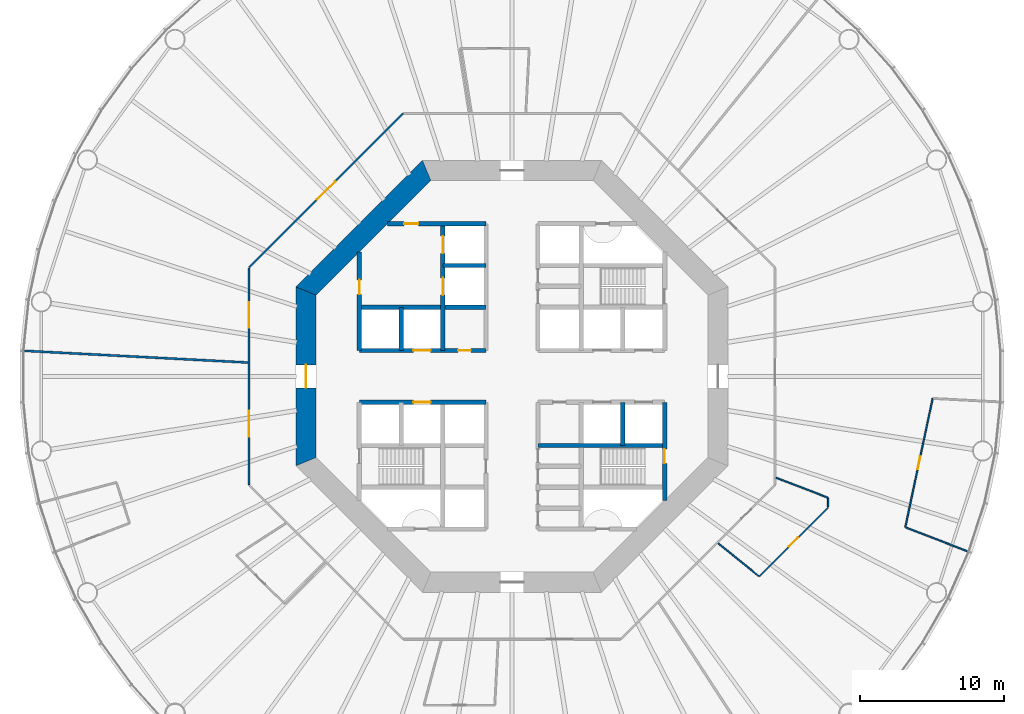
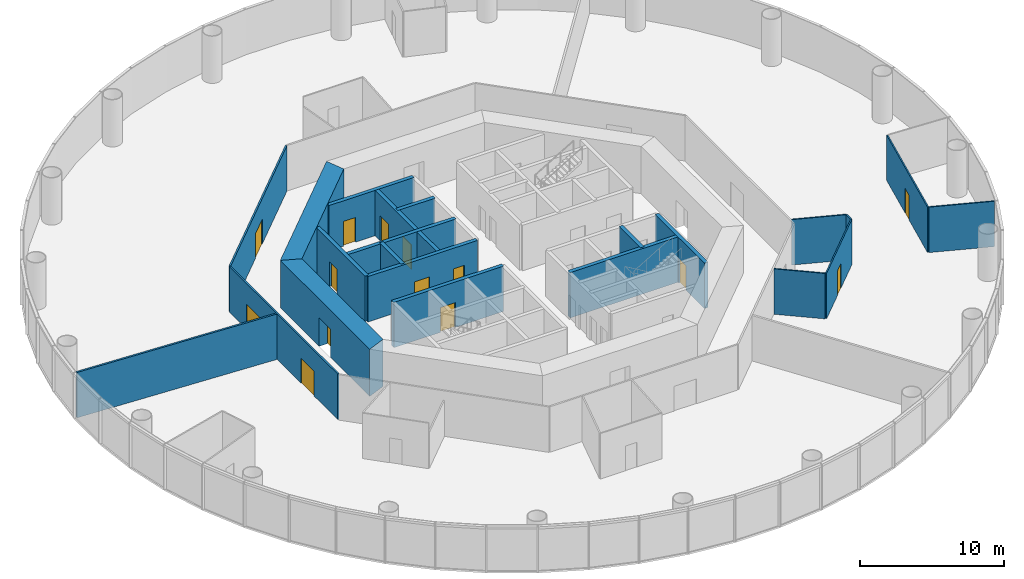
# One storey, part 4 of 13: 22 walls, 14 doors, 14 openings.
"""IFC4 building model written with IfcOpenShell, lengths in metres."""

from ifc_helpers import new_model, si_unit, direction, frame, frame_2d, origin, place, context, subcontext, project, spatial, polyline, rectangle, outline, extrude, material, layer, layer_set, type_object, element, fill, save


model = new_model("IFC4")

# Units and contexts
model_context = context("Model", 3, precision=1e-05, world=origin(), true_north=direction((0.0, 1.0)))
body_context = subcontext(model_context, "Body", "Model", "MODEL_VIEW")
ifc_project = project(units=[si_unit("LENGTHUNIT", "METRE"), si_unit("AREAUNIT", "SQUARE_METRE"), si_unit("VOLUMEUNIT", "CUBIC_METRE"), si_unit("PLANEANGLEUNIT", "RADIAN"), si_unit("MASSUNIT", "GRAM", prefix="KILO")], contexts=[model_context])

# Site, building, storey
site_placement = place(None, origin())
site = spatial("IfcSite", under=ifc_project, at=site_placement, CompositionType="ELEMENT")
building_placement = place(site_placement, origin())
building = spatial("IfcBuilding", under=site, at=building_placement, Name="Entoto Ring Tower", CompositionType="ELEMENT")
storey_placement = place(building_placement, frame((0.0, 0.0, 42.0)))
storey = spatial("IfcBuildingStorey", under=building, at=storey_placement, Name="L08", CompositionType="ELEMENT", Elevation=42.0)

# Wall, opening, door
ifc_material_1 = material(Name="Concrete C40/50", Category="concrete")
ifc_layer_1 = layer(ifc_material_1, 0.300048828125)
ifc_layer_set_1 = layer_set([ifc_layer_1], Name="Concrete C40/50")
wall_type_1 = type_object("IfcWallType", Name="Core enclosure wall 300 mm reinforced concrete", PredefinedType="SOLIDWALL", material=ifc_layer_set_1)
wall_1_placement = place(storey_placement, frame((100.60009765625, 71.36669921875, 0.0), z_axis=(0.0, 0.0, 1.0), x_axis=(0.0, 1.0, 0.0)))
wall_1 = element("IfcWall", 1, at=wall_1_placement, inside=storey, type_object=wall_type_1, Name="wall-L08-001", PredefinedType="SOLIDWALL", context=body_context, shape_type="SweptSolid", body=[
    extrude(rectangle(XDim=6.833251953125, YDim=0.300048828125, at=frame_2d((3.41650390625, 0.0))), origin(), (0.0, 0.0, 1.0), 3.85009765625),
])
opening_1_placement = place(wall_1_placement, frame((2.583251953125, 0.0, 0.0)))
opening_1 = element("IfcOpeningElement", 2, at=opening_1_placement, cuts=wall_1, Name="Opening K-22", PredefinedType="OPENING", context=body_context, shape_type="SweptSolid", body=[
    extrude(rectangle(XDim=1.0, YDim=2.10009765625, at=frame_2d((0.5, 1.050048828125))), frame((0.0, 0.16015625, 0.0), z_axis=(0.0, -1.0, 0.0), x_axis=(1.0, 0.0, 0.0)), (0.0, 0.0, 1.0), 0.320068359375),
])
ifc_material_2 = material(Name="Steel door leaf, fire rated", Category="steel")
ifc_layer_2 = layer(ifc_material_2, 0.050048828125)
ifc_layer_set_2 = layer_set([ifc_layer_2], Name="Steel door leaf, fire rated")
door_type_1 = type_object("IfcDoorType", Name="Fire door FD60 1000 x 2100 single leaf", OperationType="NOTDEFINED", PredefinedType="DOOR", material=ifc_layer_set_2)
door_1_placement = place(opening_1_placement, origin())
door_1 = element("IfcDoor", 3, at=door_1_placement, inside=storey, type_object=door_type_1, Name="Door K-22", OperationType="SINGLE_SWING_RIGHT", OverallHeight=2.10009765625, OverallWidth=1.0, PredefinedType="DOOR", context=body_context, shape_type="SweptSolid", body=[
    extrude(rectangle(XDim=1.0, YDim=2.10009765625, at=frame_2d((0.5, 1.050048828125))), frame((0.0, 0.02490234375, 0.0), z_axis=(0.0, -1.0, 0.0), x_axis=(1.0, 0.0, 0.0)), (0.0, 0.0, 1.0), 0.050048828125),
])
fill(opening_1, door_1)

# Wall
wall_2_placement = place(storey_placement, frame((97.699951171875, 75.199951171875, 0.0), z_axis=(0.0, 0.0, 1.0), x_axis=(0.0, 1.0, 0.0)))
element("IfcWall", 4, at=wall_2_placement, inside=storey, type_object=wall_type_1, Name="wall-L08-003", PredefinedType="SOLIDWALL", context=body_context, shape_type="SweptSolid", body=[
    extrude(rectangle(XDim=3.0, YDim=0.300048828125, at=frame_2d((1.5, 0.0))), origin(), (0.0, 0.0, 1.0), 3.85009765625),
])

# Wall, openings, doors
wall_3_placement = place(storey_placement, frame((85.199951171875, 81.800048828125, 0.0), z_axis=(0.0, 0.0, 1.0), x_axis=(0.0, 1.0, 0.0)))
wall_3 = element("IfcWall", 5, at=wall_3_placement, inside=storey, type_object=wall_type_1, Name="wall-L08-012", PredefinedType="SOLIDWALL", context=body_context, shape_type="SweptSolid", body=[
    extrude(rectangle(XDim=8.800048828125, YDim=0.300048828125, at=frame_2d((4.39990234375, 0.0))), origin(), (0.0, 0.0, 1.0), 3.85009765625),
])
opening_2_placement = place(wall_3_placement, frame((3.85009765625, 0.0, 0.0)))
opening_2 = element("IfcOpeningElement", 6, at=opening_2_placement, cuts=wall_3, Name="Opening LD", PredefinedType="OPENING", context=body_context, shape_type="SweptSolid", body=[
    extrude(rectangle(XDim=1.199951171875, YDim=2.10009765625, at=frame_2d((0.60009765625, 1.050048828125))), frame((0.0, 0.16015625, 0.0), z_axis=(0.0, -1.0, 0.0), x_axis=(1.0, 0.0, 0.0)), (0.0, 0.0, 1.0), 0.320068359375),
])
opening_3_placement = place(wall_3_placement, frame((6.75, 0.0, 0.0)))
opening_3 = element("IfcOpeningElement", 7, at=opening_3_placement, cuts=wall_3, Name="Opening LD", PredefinedType="OPENING", context=body_context, shape_type="SweptSolid", body=[
    extrude(rectangle(XDim=1.199951171875, YDim=2.10009765625, at=frame_2d((0.60009765625, 1.050048828125))), frame((0.0, 0.16015625, 0.0), z_axis=(0.0, -1.0, 0.0), x_axis=(1.0, 0.0, 0.0)), (0.0, 0.0, 1.0), 0.320068359375),
])
ifc_material_3 = material(Name="Steel and glass door leaf", Category="steel")
ifc_layer_3 = layer(ifc_material_3, 0.050048828125)
ifc_layer_set_3 = layer_set([ifc_layer_3], Name="Steel and glass door leaf")
door_type_2 = type_object("IfcDoorType", Name="Landing door 1200 x 2100 sliding", OperationType="DOUBLE_DOOR_SLIDING", PredefinedType="DOOR", material=ifc_layer_set_3)
door_2_placement = place(opening_2_placement, origin())
door_2 = element("IfcDoor", 8, at=door_2_placement, inside=storey, type_object=door_type_2, Name="Landing door FF1", OperationType="SLIDING_TO_RIGHT", OverallHeight=2.10009765625, OverallWidth=1.199951171875, PredefinedType="DOOR", context=body_context, shape_type="SweptSolid", body=[
    extrude(rectangle(XDim=1.199951171875, YDim=2.10009765625, at=frame_2d((0.60009765625, 1.050048828125))), frame((0.0, 0.02490234375, 0.0), z_axis=(0.0, -1.0, 0.0), x_axis=(1.0, 0.0, 0.0)), (0.0, 0.0, 1.0), 0.050048828125),
])
fill(opening_2, door_2)
door_3_placement = place(opening_3_placement, origin())
door_3 = element("IfcDoor", 9, at=door_3_placement, inside=storey, type_object=door_type_2, Name="Landing door FF2", OperationType="SLIDING_TO_RIGHT", OverallHeight=2.10009765625, OverallWidth=1.199951171875, PredefinedType="DOOR", context=body_context, shape_type="SweptSolid", body=[
    extrude(rectangle(XDim=1.199951171875, YDim=2.10009765625, at=frame_2d((0.60009765625, 1.050048828125))), frame((0.0, 0.02490234375, 0.0), z_axis=(0.0, -1.0, 0.0), x_axis=(1.0, 0.0, 0.0)), (0.0, 0.0, 1.0), 0.050048828125),
])
fill(opening_3, door_3)

# Wall
wall_4_placement = place(storey_placement, frame((82.300048828125, 81.800048828125, 0.0), z_axis=(0.0, 0.0, 1.0), x_axis=(0.0, 1.0, 0.0)))
element("IfcWall", 10, at=wall_4_placement, inside=storey, type_object=wall_type_1, Name="wall-L08-014", PredefinedType="SOLIDWALL", context=body_context, shape_type="SweptSolid", body=[
    extrude(rectangle(XDim=3.0, YDim=0.300048828125, at=frame_2d((1.5, 0.0))), origin(), (0.0, 0.0, 1.0), 3.85009765625),
])

# Wall, opening, door
wall_5_placement = place(storey_placement, frame((79.39990234375, 81.800048828125, 0.0), z_axis=(0.0, 0.0, 1.0), x_axis=(0.0, 1.0, 0.0)))
wall_5 = element("IfcWall", 11, at=wall_5_placement, inside=storey, type_object=wall_type_1, Name="wall-L08-016", PredefinedType="SOLIDWALL", context=body_context, shape_type="SweptSolid", body=[
    extrude(rectangle(XDim=6.833251953125, YDim=0.300048828125, at=frame_2d((3.41650390625, 0.0))), origin(), (0.0, 0.0, 1.0), 3.85009765625),
])
opening_4_placement = place(wall_5_placement, frame((3.89990234375, 0.0, 0.0)))
opening_4 = element("IfcOpeningElement", 12, at=opening_4_placement, cuts=wall_5, Name="Opening K-26", PredefinedType="OPENING", context=body_context, shape_type="SweptSolid", body=[
    extrude(rectangle(XDim=1.0, YDim=2.10009765625, at=frame_2d((0.5, 1.050048828125))), frame((0.0, 0.16015625, 0.0), z_axis=(0.0, -1.0, 0.0), x_axis=(1.0, 0.0, 0.0)), (0.0, 0.0, 1.0), 0.320068359375),
])
door_4_placement = place(opening_4_placement, frame((1.0, 0.0, 0.0), z_axis=(0.0, 0.0, 1.0), x_axis=(-1.0, 0.0, 0.0)))
door_4 = element("IfcDoor", 13, at=door_4_placement, inside=storey, type_object=door_type_1, Name="Door K-26", OperationType="SINGLE_SWING_LEFT", OverallHeight=2.10009765625, OverallWidth=1.0, PredefinedType="DOOR", context=body_context, shape_type="SweptSolid", body=[
    extrude(rectangle(XDim=1.0, YDim=2.10009765625, at=frame_2d((0.5, 1.050048828125))), frame((0.0, 0.02490234375, 0.0), z_axis=(0.0, -1.0, 0.0), x_axis=(1.0, 0.0, 0.0)), (0.0, 0.0, 1.0), 0.050048828125),
])
fill(opening_4, door_4)

# Wall
wall_6_placement = place(storey_placement, frame((91.800048828125, 75.199951171875, 0.0), z_axis=(0.0, 0.0, 1.0), x_axis=(1.0, 0.0, 0.0)))
element("IfcWall", 14, at=wall_6_placement, inside=storey, type_object=wall_type_1, Name="wall-L08-024", PredefinedType="SOLIDWALL", context=body_context, shape_type="SweptSolid", body=[
    extrude(rectangle(XDim=8.800048828125, YDim=0.300048828125, at=frame_2d((4.39990234375, 0.0))), origin(), (0.0, 0.0, 1.0), 3.85009765625),
])

# Wall, opening, door
wall_7_placement = place(storey_placement, frame((79.39990234375, 78.199951171875, 0.0), z_axis=(0.0, 0.0, 1.0), x_axis=(1.0, 0.0, 0.0)))
wall_7 = element("IfcWall", 15, at=wall_7_placement, inside=storey, type_object=wall_type_1, Name="wall-L08-025", PredefinedType="SOLIDWALL", context=body_context, shape_type="SweptSolid", body=[
    extrude(rectangle(XDim=8.800048828125, YDim=0.300048828125, at=frame_2d((4.39990234375, 0.0))), origin(), (0.0, 0.0, 1.0), 3.85009765625),
])
opening_5_placement = place(wall_7_placement, frame((3.75, 0.0, 0.0)))
opening_5 = element("IfcOpeningElement", 16, at=opening_5_placement, cuts=wall_7, Name="Opening LD", PredefinedType="OPENING", context=body_context, shape_type="SweptSolid", body=[
    extrude(rectangle(XDim=1.199951171875, YDim=2.10009765625, at=frame_2d((0.60009765625, 1.050048828125))), frame((0.0, 0.16015625, 0.0), z_axis=(0.0, -1.0, 0.0), x_axis=(1.0, 0.0, 0.0)), (0.0, 0.0, 1.0), 0.320068359375),
])
door_5_placement = place(opening_5_placement, origin())
door_5 = element("IfcDoor", 17, at=door_5_placement, inside=storey, type_object=door_type_2, Name="Landing door LB6-LR", OperationType="SLIDING_TO_RIGHT", OverallHeight=2.10009765625, OverallWidth=1.199951171875, PredefinedType="DOOR", context=body_context, shape_type="SweptSolid", body=[
    extrude(rectangle(XDim=1.199951171875, YDim=2.10009765625, at=frame_2d((0.60009765625, 1.050048828125))), frame((0.0, 0.02490234375, 0.0), z_axis=(0.0, -1.0, 0.0), x_axis=(1.0, 0.0, 0.0)), (0.0, 0.0, 1.0), 0.050048828125),
])
fill(opening_5, door_5)

# Wall, openings, doors
wall_8_placement = place(storey_placement, frame((79.39990234375, 81.800048828125, 0.0), z_axis=(0.0, 0.0, 1.0), x_axis=(1.0, 0.0, 0.0)))
wall_8 = element("IfcWall", 18, at=wall_8_placement, inside=storey, type_object=wall_type_1, Name="wall-L08-027", PredefinedType="SOLIDWALL", context=body_context, shape_type="SweptSolid", body=[
    extrude(rectangle(XDim=8.800048828125, YDim=0.300048828125, at=frame_2d((4.39990234375, 0.0))), origin(), (0.0, 0.0, 1.0), 3.85009765625),
])
opening_6_placement = place(wall_8_placement, frame((3.75, 0.0, 0.0)))
opening_6 = element("IfcOpeningElement", 19, at=opening_6_placement, cuts=wall_8, Name="Opening LD", PredefinedType="OPENING", context=body_context, shape_type="SweptSolid", body=[
    extrude(rectangle(XDim=1.199951171875, YDim=2.10009765625, at=frame_2d((0.60009765625, 1.050048828125))), frame((0.0, 0.16015625, 0.0), z_axis=(0.0, -1.0, 0.0), x_axis=(1.0, 0.0, 0.0)), (0.0, 0.0, 1.0), 0.320068359375),
])
opening_7_placement = place(wall_8_placement, frame((6.85009765625, 0.0, 0.0)))
opening_7 = element("IfcOpeningElement", 20, at=opening_7_placement, cuts=wall_8, Name="Opening K-18", PredefinedType="OPENING", context=body_context, shape_type="SweptSolid", body=[
    extrude(rectangle(XDim=0.89990234375, YDim=2.10009765625, at=frame_2d((0.449951171875, 1.050048828125))), frame((0.0, 0.16015625, 0.0), z_axis=(0.0, -1.0, 0.0), x_axis=(1.0, 0.0, 0.0)), (0.0, 0.0, 1.0), 0.320068359375),
])
ifc_material_4 = material(Name="Steel door leaf, fire rated", Category="steel")
ifc_layer_4 = layer(ifc_material_4, 0.050048828125)
ifc_layer_set_4 = layer_set([ifc_layer_4], Name="Steel door leaf, fire rated")
door_type_3 = type_object("IfcDoorType", Name="Core door 900 x 2100 single leaf", OperationType="NOTDEFINED", PredefinedType="DOOR", material=ifc_layer_set_4)
door_6_placement = place(opening_7_placement, frame((0.89990234375, 0.0, 0.0), z_axis=(0.0, 0.0, 1.0), x_axis=(-1.0, 0.0, 0.0)))
door_6 = element("IfcDoor", 21, at=door_6_placement, inside=storey, type_object=door_type_3, Name="Door K-18", OperationType="SINGLE_SWING_RIGHT", OverallHeight=2.10009765625, OverallWidth=0.89990234375, PredefinedType="DOOR", context=body_context, shape_type="SweptSolid", body=[
    extrude(rectangle(XDim=0.89990234375, YDim=2.10009765625, at=frame_2d((0.449951171875, 1.050048828125))), frame((0.0, 0.02490234375, 0.0), z_axis=(0.0, -1.0, 0.0), x_axis=(1.0, 0.0, 0.0)), (0.0, 0.0, 1.0), 0.050048828125),
])
fill(opening_7, door_6)
door_7_placement = place(opening_6_placement, origin())
door_7 = element("IfcDoor", 22, at=door_7_placement, inside=storey, type_object=door_type_2, Name="Landing door LB3-LR", OperationType="SLIDING_TO_RIGHT", OverallHeight=2.10009765625, OverallWidth=1.199951171875, PredefinedType="DOOR", context=body_context, shape_type="SweptSolid", body=[
    extrude(rectangle(XDim=1.199951171875, YDim=2.10009765625, at=frame_2d((0.60009765625, 1.050048828125))), frame((0.0, 0.02490234375, 0.0), z_axis=(0.0, -1.0, 0.0), x_axis=(1.0, 0.0, 0.0)), (0.0, 0.0, 1.0), 0.050048828125),
])
fill(opening_6, door_7)

# Walls
wall_9_placement = place(storey_placement, frame((79.39990234375, 84.800048828125, 0.0), z_axis=(0.0, 0.0, 1.0), x_axis=(1.0, 0.0, 0.0)))
element("IfcWall", 23, at=wall_9_placement, inside=storey, type_object=wall_type_1, Name="wall-L08-029", PredefinedType="SOLIDWALL", context=body_context, shape_type="SweptSolid", body=[
    extrude(rectangle(XDim=8.800048828125, YDim=0.300048828125, at=frame_2d((4.39990234375, 0.0))), origin(), (0.0, 0.0, 1.0), 3.85009765625),
])
wall_10_placement = place(storey_placement, frame((85.199951171875, 87.699951171875, 0.0), z_axis=(0.0, 0.0, 1.0), x_axis=(1.0, 0.0, 0.0)))
element("IfcWall", 24, at=wall_10_placement, inside=storey, type_object=wall_type_1, Name="wall-L08-032", PredefinedType="SOLIDWALL", context=body_context, shape_type="SweptSolid", body=[
    extrude(rectangle(XDim=3.0, YDim=0.300048828125, at=frame_2d((1.5, 0.0))), origin(), (0.0, 0.0, 1.0), 3.85009765625),
])

# Wall, opening, door
wall_11_placement = place(storey_placement, frame((81.36669921875, 90.60009765625, 0.0), z_axis=(0.0, 0.0, 1.0), x_axis=(1.0, 0.0, 0.0)))
wall_11 = element("IfcWall", 25, at=wall_11_placement, inside=storey, type_object=wall_type_1, Name="wall-L08-034", PredefinedType="SOLIDWALL", context=body_context, shape_type="SweptSolid", body=[
    extrude(rectangle(XDim=6.833251953125, YDim=0.300048828125, at=frame_2d((3.41650390625, 0.0))), origin(), (0.0, 0.0, 1.0), 3.85009765625),
])
opening_8_placement = place(wall_11_placement, frame((1.13330078125, 0.0, 0.0)))
opening_8 = element("IfcOpeningElement", 26, at=opening_8_placement, cuts=wall_11, Name="Opening K-27", PredefinedType="OPENING", context=body_context, shape_type="SweptSolid", body=[
    extrude(rectangle(XDim=1.0, YDim=2.10009765625, at=frame_2d((0.5, 1.050048828125))), frame((0.0, 0.16015625, 0.0), z_axis=(0.0, -1.0, 0.0), x_axis=(1.0, 0.0, 0.0)), (0.0, 0.0, 1.0), 0.320068359375),
])
door_8_placement = place(opening_8_placement, frame((1.0, 0.0, 0.0), z_axis=(0.0, 0.0, 1.0), x_axis=(-1.0, 0.0, 0.0)))
door_8 = element("IfcDoor", 27, at=door_8_placement, inside=storey, type_object=door_type_1, Name="Door K-27", OperationType="SINGLE_SWING_RIGHT", OverallHeight=2.10009765625, OverallWidth=1.0, PredefinedType="DOOR", context=body_context, shape_type="SweptSolid", body=[
    extrude(rectangle(XDim=1.0, YDim=2.10009765625, at=frame_2d((0.5, 1.050048828125))), frame((0.0, 0.02490234375, 0.0), z_axis=(0.0, -1.0, 0.0), x_axis=(1.0, 0.0, 0.0)), (0.0, 0.0, 1.0), 0.050048828125),
])
fill(opening_8, door_8)

# Wall
ifc_material_5 = material(Name="Concrete C60/75", Category="concrete")
ifc_layer_5 = layer(ifc_material_5, 1.39990234375)
ifc_layer_set_5 = layer_set([ifc_layer_5], Name="Concrete C60/75")
wall_type_2 = type_object("IfcWallType", Name="Core shear wall 1400 mm reinforced concrete C60/75", PredefinedType="SHEAR", material=ifc_layer_set_5)
wall_12_placement = place(storey_placement, frame((84.07666015625, 94.300048828125, 0.0), z_axis=(0.0, 0.0, 1.0), x_axis=(-0.707106781187, -0.707106781187, 0.0)))
element("IfcWall", 28, at=wall_12_placement, inside=storey, type_object=wall_type_2, Name="wall-L08-core-3", PredefinedType="SHEAR", context=body_context, shape_type="SweptSolid", body=[
    extrude(outline(polyline([(-0.2900390625, -0.699951171875), (12.136474609375, -0.699951171875), (11.556396484375, 0.699951171875), (0.2900390625, 0.699951171875), (-0.2900390625, -0.699951171875)])), origin(), (0.0, 0.0, 1.0), 4.0),
])

# Wall, opening, door
wall_13_placement = place(storey_placement, frame((75.699951171875, 85.92333984375, 0.0), z_axis=(0.0, 0.0, 1.0), x_axis=(0.0, -1.0, 0.0)))
wall_13 = element("IfcWall", 29, at=wall_13_placement, inside=storey, type_object=wall_type_2, Name="wall-L08-core-4", PredefinedType="SHEAR", context=body_context, shape_type="SweptSolid", body=[
    extrude(outline(polyline([(-0.2900390625, -0.699951171875), (12.13671875, -0.699951171875), (11.556640625, 0.699951171875), (0.2900390625, 0.699951171875), (-0.2900390625, -0.699951171875)])), origin(), (0.0, 0.0, 1.0), 4.0),
])
opening_9_placement = place(wall_13_placement, frame((5.123291015625, 0.0, 0.0)))
opening_9 = element("IfcOpeningElement", 30, at=opening_9_placement, cuts=wall_13, Name="Opening K-03", PredefinedType="OPENING", context=body_context, shape_type="SweptSolid", body=[
    extrude(rectangle(XDim=1.60009765625, YDim=2.39990234375, at=frame_2d((0.800048828125, 1.199951171875))), frame((0.0, 0.7099609375, 0.0), z_axis=(0.0, -1.0, 0.0), x_axis=(1.0, 0.0, 0.0)), (0.0, 0.0, 1.0), 1.419921875),
])
ifc_material_6 = material(Name="Steel door leaf, fire rated", Category="steel")
ifc_layer_6 = layer(ifc_material_6, 0.050048828125)
ifc_layer_set_6 = layer_set([ifc_layer_6], Name="Steel door leaf, fire rated")
door_type_4 = type_object("IfcDoorType", Name="Entrance door FD60 1600 x 2400 double leaf", OperationType="DOUBLE_DOOR_SINGLE_SWING", PredefinedType="DOOR", material=ifc_layer_set_6)
door_9_placement = place(opening_9_placement, origin())
door_9 = element("IfcDoor", 31, at=door_9_placement, inside=storey, type_object=door_type_4, Name="Entrance door K-03", OperationType="DOUBLE_DOOR_SINGLE_SWING", OverallHeight=2.39990234375, OverallWidth=1.60009765625, PredefinedType="DOOR", context=body_context, shape_type="SweptSolid", body=[
    extrude(rectangle(XDim=1.60009765625, YDim=2.39990234375, at=frame_2d((0.800048828125, 1.199951171875))), frame((0.0, 0.02490234375, 0.0), z_axis=(0.0, -1.0, 0.0), x_axis=(1.0, 0.0, 0.0)), (0.0, 0.0, 1.0), 0.050048828125),
])
fill(opening_9, door_9)

ifc_material_7 = material(Name="Fire-resisting plasterboard on steel studs", Category="steel")
ifc_layer_7 = layer(ifc_material_7, 0.125)
ifc_layer_set_7 = layer_set([ifc_layer_7], Name="Fire-resisting plasterboard on steel studs")
wall_type_3 = type_object("IfcWallType", Name="Corridor wall 125 mm one-hour plasterboard on steel studs", PredefinedType="PARTITIONING", material=ifc_layer_set_7)
wall_14_placement = place(storey_placement, frame((71.737548828125, 87.564697265625, 0.0), z_axis=(0.0, 0.0, 1.0), x_axis=(0.707106781187, 0.707106781187, 0.0)))
wall_14 = element("IfcWall", 32, at=wall_14_placement, inside=storey, type_object=wall_type_3, Name="partition-L08-001", PredefinedType="PARTITIONING", context=body_context, shape_type="SweptSolid", body=[
    extrude(rectangle(XDim=15.12890625, YDim=0.125, at=frame_2d((7.564453125, 0.0))), origin(), (0.0, 0.0, 1.0), 3.85009765625),
])
opening_10_placement = place(wall_14_placement, frame((6.66455078125, 0.0, 0.0)))
opening_10 = element("IfcOpeningElement", 33, at=opening_10_placement, cuts=wall_14, Name="Opening A04-D11", PredefinedType="OPENING", context=body_context, shape_type="SweptSolid", body=[
    extrude(rectangle(XDim=1.800048828125, YDim=2.10009765625, at=frame_2d((0.89990234375, 1.050048828125))), frame((0.0, 0.072509765625, 0.0), z_axis=(0.0, -1.0, 0.0), x_axis=(1.0, 0.0, 0.0)), (0.0, 0.0, 1.0), 0.14501953125),
])
ifc_material_8 = material(Name="Fire-resisting timber door set", Category="wood")
door_type_5 = type_object("IfcDoorType", Name="Door 1800 x 2100 double leaf FD30S fire door", OperationType="DOUBLE_DOOR_SINGLE_SWING", PredefinedType="DOOR", material=ifc_material_8)
door_10_placement = place(opening_10_placement, frame((1.800048828125, 0.0, 0.0), z_axis=(0.0, 0.0, 1.0), x_axis=(-1.0, 0.0, 0.0)))
door_10 = element("IfcDoor", 34, at=door_10_placement, inside=storey, type_object=door_type_5, Name="Door A04-D11", OperationType="DOUBLE_DOOR_SINGLE_SWING", OverallHeight=2.10009765625, OverallWidth=1.800048828125, PredefinedType="DOOR", context=body_context, shape_type="SweptSolid", body=[
    extrude(rectangle(XDim=1.800048828125, YDim=2.10009765625, at=frame_2d((0.89990234375, 1.050048828125))), frame((0.0, 0.02490234375, 0.0), z_axis=(0.0, -1.0, 0.0), x_axis=(1.0, 0.0, 0.0)), (0.0, 0.0, 1.0), 0.050048828125),
])
fill(opening_10, door_10)

# Wall, openings, doors
wall_15_placement = place(storey_placement, frame((71.737548828125, 72.4794921875, 0.0), z_axis=(0.0, 0.0, 1.0), x_axis=(0.0, 1.0, 0.0)))
wall_15 = element("IfcWall", 35, at=wall_15_placement, inside=storey, type_object=wall_type_3, Name="partition-L08-005", PredefinedType="PARTITIONING", context=body_context, shape_type="SweptSolid", body=[
    extrude(rectangle(XDim=15.041015625, YDim=0.125, at=frame_2d((7.5205078125, 0.0))), origin(), (0.0, 0.0, 1.0), 3.85009765625),
])
opening_11_placement = place(wall_15_placement, frame((3.31689453125, 0.0, 0.0)))
opening_11 = element("IfcOpeningElement", 36, at=opening_11_placement, cuts=wall_15, Name="Opening A04-D02", PredefinedType="OPENING", context=body_context, shape_type="SweptSolid", body=[
    extrude(rectangle(XDim=1.800048828125, YDim=2.10009765625, at=frame_2d((0.89990234375, 1.050048828125))), frame((0.0, 0.072509765625, 0.0), z_axis=(0.0, -1.0, 0.0), x_axis=(1.0, 0.0, 0.0)), (0.0, 0.0, 1.0), 0.14501953125),
])
opening_12_placement = place(wall_15_placement, frame((10.88134765625, 0.0, 0.0)))
opening_12 = element("IfcOpeningElement", 37, at=opening_12_placement, cuts=wall_15, Name="Opening A04-D12", PredefinedType="OPENING", context=body_context, shape_type="SweptSolid", body=[
    extrude(rectangle(XDim=1.800048828125, YDim=2.10009765625, at=frame_2d((0.89990234375, 1.050048828125))), frame((0.0, 0.072509765625, 0.0), z_axis=(0.0, -1.0, 0.0), x_axis=(1.0, 0.0, 0.0)), (0.0, 0.0, 1.0), 0.14501953125),
])
door_11_placement = place(opening_11_placement, frame((1.800048828125, 0.0, 0.0), z_axis=(0.0, 0.0, 1.0), x_axis=(-1.0, 0.0, 0.0)))
door_11 = element("IfcDoor", 38, at=door_11_placement, inside=storey, type_object=door_type_5, Name="Door A04-D02", OperationType="DOUBLE_DOOR_SINGLE_SWING", OverallHeight=2.10009765625, OverallWidth=1.800048828125, PredefinedType="DOOR", context=body_context, shape_type="SweptSolid", body=[
    extrude(rectangle(XDim=1.800048828125, YDim=2.10009765625, at=frame_2d((0.89990234375, 1.050048828125))), frame((0.0, 0.02490234375, 0.0), z_axis=(0.0, -1.0, 0.0), x_axis=(1.0, 0.0, 0.0)), (0.0, 0.0, 1.0), 0.050048828125),
])
fill(opening_11, door_11)
door_12_placement = place(opening_12_placement, frame((1.800048828125, 0.0, 0.0), z_axis=(0.0, 0.0, 1.0), x_axis=(-1.0, 0.0, 0.0)))
door_12 = element("IfcDoor", 39, at=door_12_placement, inside=storey, type_object=door_type_5, Name="Door A04-D12", OperationType="DOUBLE_DOOR_SINGLE_SWING", OverallHeight=2.10009765625, OverallWidth=1.800048828125, PredefinedType="DOOR", context=body_context, shape_type="SweptSolid", body=[
    extrude(rectangle(XDim=1.800048828125, YDim=2.10009765625, at=frame_2d((0.89990234375, 1.050048828125))), frame((0.0, 0.02490234375, 0.0), z_axis=(0.0, -1.0, 0.0), x_axis=(1.0, 0.0, 0.0)), (0.0, 0.0, 1.0), 0.050048828125),
])
fill(opening_12, door_12)

# Wall, opening, door
ifc_material_9 = material(Name="Plasterboard on steel studs", Category="steel")
ifc_layer_8 = layer(ifc_material_9, 0.10009765625)
ifc_layer_set_8 = layer_set([ifc_layer_8], Name="Plasterboard on steel studs")
wall_type_4 = type_object("IfcWallType", Name="Partition 100 mm plasterboard on steel studs", PredefinedType="PARTITIONING", material=ifc_layer_set_8)
wall_16_placement = place(storey_placement, frame((117.316650390625, 69.51416015625, 0.0), z_axis=(0.0, 0.0, 1.0), x_axis=(0.207913298034, 0.978147259108, 0.0)))
wall_16 = element("IfcWall", 40, at=wall_16_placement, inside=storey, type_object=wall_type_4, Name="partition-L08-012", PredefinedType="PARTITIONING", context=body_context, shape_type="SweptSolid", body=[
    extrude(rectangle(XDim=9.154296875, YDim=0.10009765625, at=frame_2d((4.5771484375, 0.0))), origin(), (0.0, 0.0, 1.0), 3.85009765625),
])
opening_13_placement = place(wall_16_placement, frame((4.127197265625, 0.0, 0.0)))
opening_13 = element("IfcOpeningElement", 41, at=opening_13_placement, cuts=wall_16, Name="Opening A04-D10", PredefinedType="OPENING", context=body_context, shape_type="SweptSolid", body=[
    extrude(rectangle(XDim=0.89990234375, YDim=2.10009765625, at=frame_2d((0.449951171875, 1.050048828125))), frame((0.0, 0.06005859375, 0.0), z_axis=(0.0, -1.0, 0.0), x_axis=(1.0, 0.0, 0.0)), (0.0, 0.0, 1.0), 0.1201171875),
])
ifc_material_10 = material(Name="Veneered timber door leaf in timber frame", Category="wood")
door_type_6 = type_object("IfcDoorType", Name="Door 900 x 2100 single leaf timber veneer", OperationType="NOTDEFINED", PredefinedType="DOOR", material=ifc_material_10)
door_13_placement = place(opening_13_placement, frame((0.89990234375, 0.0, 0.0), z_axis=(0.0, 0.0, 1.0), x_axis=(-1.0, 0.0, 0.0)))
door_13 = element("IfcDoor", 42, at=door_13_placement, inside=storey, type_object=door_type_6, Name="Door A04-D10", OperationType="SINGLE_SWING_LEFT", OverallHeight=2.10009765625, OverallWidth=0.89990234375, PredefinedType="DOOR", context=body_context, shape_type="SweptSolid", body=[
    extrude(rectangle(XDim=0.89990234375, YDim=2.10009765625, at=frame_2d((0.449951171875, 1.050048828125))), frame((0.0, 0.02490234375, 0.0), z_axis=(0.0, -1.0, 0.0), x_axis=(1.0, 0.0, 0.0)), (0.0, 0.0, 1.0), 0.050048828125),
])
fill(opening_13, door_13)

wall_17_placement = place(storey_placement, frame((107.162109375, 66.102294921875, 0.0), z_axis=(0.0, 0.0, 1.0), x_axis=(0.707088799857, 0.707124762059, 0.0)))
wall_17 = element("IfcWall", 43, at=wall_17_placement, inside=storey, type_object=wall_type_4, Name="partition-L08-013", PredefinedType="PARTITIONING", context=body_context, shape_type="SweptSolid", body=[
    extrude(rectangle(XDim=6.788818359375, YDim=0.10009765625, at=frame_2d((3.39453125, 0.0))), origin(), (0.0, 0.0, 1.0), 3.85009765625),
])
opening_14_placement = place(wall_17_placement, frame((2.9443359375, 0.0, 0.0)))
opening_14 = element("IfcOpeningElement", 44, at=opening_14_placement, cuts=wall_17, Name="Opening A04-D08", PredefinedType="OPENING", context=body_context, shape_type="SweptSolid", body=[
    extrude(rectangle(XDim=0.89990234375, YDim=2.10009765625, at=frame_2d((0.449951171875, 1.050048828125))), frame((0.0, 0.06005859375, 0.0), z_axis=(0.0, -1.0, 0.0), x_axis=(1.0, 0.0, 0.0)), (0.0, 0.0, 1.0), 0.1201171875),
])
door_14_placement = place(opening_14_placement, origin())
door_14 = element("IfcDoor", 45, at=door_14_placement, inside=storey, type_object=door_type_6, Name="Door A04-D08", OperationType="SINGLE_SWING_LEFT", OverallHeight=2.10009765625, OverallWidth=0.89990234375, PredefinedType="DOOR", context=body_context, shape_type="SweptSolid", body=[
    extrude(rectangle(XDim=0.89990234375, YDim=2.10009765625, at=frame_2d((0.449951171875, 1.050048828125))), frame((0.0, 0.02490234375, 0.0), z_axis=(0.0, -1.0, 0.0), x_axis=(1.0, 0.0, 0.0)), (0.0, 0.0, 1.0), 0.050048828125),
])
fill(opening_14, door_14)

# Walls
wall_18_placement = place(storey_placement, frame((121.685791015625, 67.8369140625, 0.0), z_axis=(0.0, 0.0, 1.0), x_axis=(-0.933570977863, 0.358392563108, 0.0)))
element("IfcWall", 46, at=wall_18_placement, inside=storey, type_object=wall_type_4, Name="partition-L08-022", PredefinedType="PARTITIONING", context=body_context, shape_type="SweptSolid", body=[
    extrude(rectangle(XDim=4.630859375, YDim=0.10009765625, at=frame_2d((2.3154296875, 0.0))), origin(), (0.0, 0.0, 1.0), 3.85009765625),
])
wall_19_placement = place(storey_placement, frame((111.96240234375, 71.5693359375, 0.0), z_axis=(0.0, 0.0, 1.0), x_axis=(-0.933562901591, 0.358413600152, 0.0)))
element("IfcWall", 47, at=wall_19_placement, inside=storey, type_object=wall_type_4, Name="partition-L08-029", PredefinedType="PARTITIONING", context=body_context, shape_type="SweptSolid", body=[
    extrude(rectangle(XDim=3.877197265625, YDim=0.10009765625, at=frame_2d((1.9384765625, 0.0))), origin(), (0.0, 0.0, 1.0), 3.85009765625),
])
wall_20_placement = place(storey_placement, frame((107.12353515625, 66.1337890625, 0.0), z_axis=(0.0, 0.0, 1.0), x_axis=(-0.777165956393, 0.629295698558, 0.0)))
element("IfcWall", 48, at=wall_20_placement, inside=storey, type_object=wall_type_4, Name="partition-L08-030", PredefinedType="PARTITIONING", context=body_context, shape_type="SweptSolid", body=[
    extrude(rectangle(XDim=3.6025390625, YDim=0.10009765625, at=frame_2d((1.80126953125, 0.0))), origin(), (0.0, 0.0, 1.0), 3.85009765625),
])
wall_21_placement = place(storey_placement, frame((111.96240234375, 70.93798828125, 0.0), z_axis=(0.0, 0.0, 1.0), x_axis=(0.0, 1.0, 0.0)))
element("IfcWall", 49, at=wall_21_placement, inside=storey, type_object=wall_type_4, Name="partition-L08-033", PredefinedType="PARTITIONING", context=body_context, shape_type="SweptSolid", body=[
    extrude(rectangle(XDim=0.5849609375, YDim=0.10009765625, at=frame_2d((0.29248046875, 0.0))), origin(), (0.0, 0.0, 1.0), 3.85009765625),
])
ifc_material_11 = material(Name="Fire-resisting acoustic plasterboard on steel studs", Category="steel")
ifc_layer_9 = layer(ifc_material_11, 0.14990234375)
ifc_layer_set_9 = layer_set([ifc_layer_9], Name="Fire-resisting acoustic plasterboard on steel studs")
wall_type_5 = type_object("IfcWallType", Name="Party wall 150 mm one-hour acoustic plasterboard on steel studs", PredefinedType="PARTITIONING", material=ifc_layer_set_9)
wall_22_placement = place(storey_placement, frame((71.671142578125, 80.960693359375, 0.0), z_axis=(0.0, 0.0, 1.0), x_axis=(-0.998629660133, 0.052333563825, 0.0)))
element("IfcWall", 50, at=wall_22_placement, inside=storey, type_object=wall_type_5, Name="partition-L08-009", PredefinedType="PARTITIONING", context=body_context, shape_type="SweptSolid", body=[
    extrude(rectangle(XDim=15.5859375, YDim=0.14990234375, at=frame_2d((7.79296875, 0.0))), origin(), (0.0, 0.0, 1.0), 3.85009765625),
])

save(model, "model.ifc")
